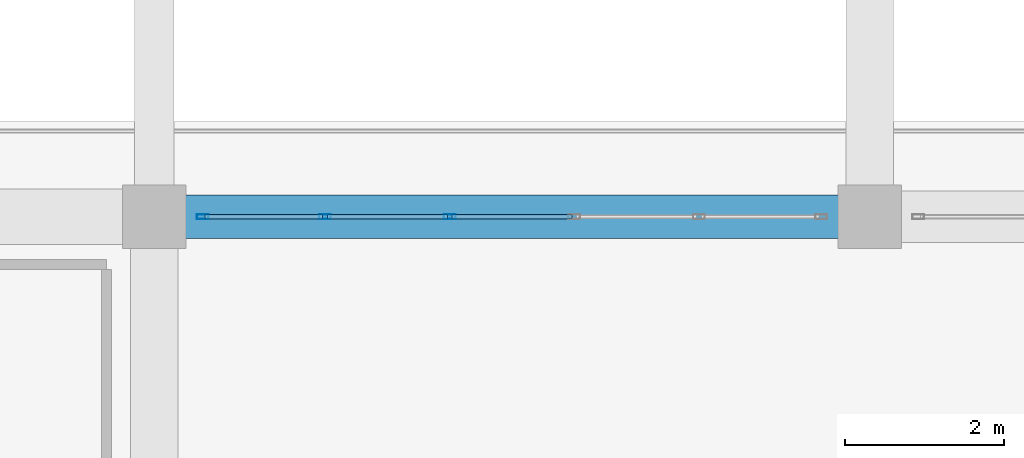
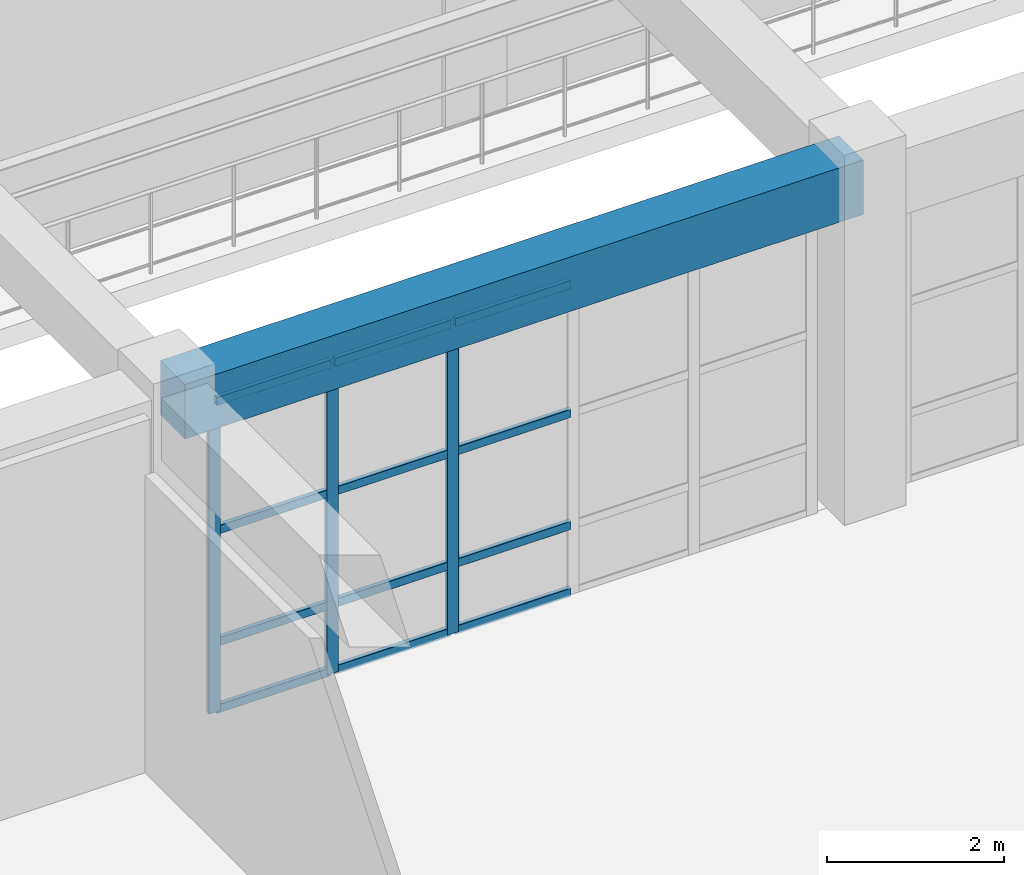
# One storey, part 60 of 128: 15 members, 1 beam, 1 element without a shape of its own.
"""IFC4 building model written with IfcOpenShell, lengths in metres."""

from ifc_helpers import new_model, si_unit, direction, frame, origin, origin_2d, place, context, subcontext, project, spatial, rectangle, hollow_rectangle, extrude, material, material_profile, profile_set, type_object, element, aggregate, save


model = new_model("IFC4")

# Units and contexts
model_context = context("Model", 3, precision=1e-05, world=origin(), true_north=direction((0.0, 1.0)))
body_context = subcontext(model_context, "Body", "Model", "MODEL_VIEW")
ifc_project = project(units=[si_unit("LENGTHUNIT", "METRE"), si_unit("AREAUNIT", "SQUARE_METRE"), si_unit("VOLUMEUNIT", "CUBIC_METRE"), si_unit("PLANEANGLEUNIT", "RADIAN"), si_unit("MASSUNIT", "GRAM", prefix="KILO")], contexts=[model_context])

# Site, building, storey
site_placement = place(None, origin())
site = spatial("IfcSite", under=ifc_project, at=site_placement, CompositionType="ELEMENT")
building_placement = place(site_placement, origin())
building = spatial("IfcBuilding", under=site, at=building_placement, Name="Miravela Opera House", CompositionType="ELEMENT")
storey_placement = place(building_placement, origin())
storey = spatial("IfcBuildingStorey", under=building, at=storey_placement, Name="L00", CompositionType="ELEMENT", Elevation=0.0)

# Curtain wall, members
ifc_material_1 = material(Name="Anodised architectural bronze aluminium 6063-T6", Category="aluminium")
curtain_wall_type = type_object("IfcCurtainWallType", Name="ARC-CW-04", PredefinedType="NOTDEFINED", material=ifc_material_1)
curtain_wall_placement = place(storey_placement, origin())
curtain_wall = element("IfcCurtainWall", 1, at=curtain_wall_placement, inside=storey, type_object=curtain_wall_type, Name="Courtyard Arcade Curtain Wall CW-L00-071", PredefinedType="NOTDEFINED")
ifc_material_profile_1 = material_profile(ifc_material_1, hollow_rectangle(XDim=0.06005859375, YDim=0.14990234375, WallThickness=0.00390625, InnerFilletRadius=0.001953125, OuterFilletRadius=0.00390625, at=origin_2d()), Name="CWM-60X150")
ifc_profile_set_1 = profile_set([ifc_material_profile_1])
member_type_1 = type_object("IfcMemberType", Name="ARC-CWM-150", PredefinedType="MULLION", material=ifc_profile_set_1)
member_1_placement = place(storey_placement, frame((27.610107421875, 103.0, 0.0), z_axis=(0.0, 0.0, 1.0), x_axis=(0.0, 1.0, 0.0)))
member_1 = element("IfcMember", 2, at=member_1_placement, type_object=member_type_1, Name="CW-04 mullion 1", PredefinedType="MULLION", context=body_context, shape_type="SweptSolid", body=[
    extrude(hollow_rectangle(XDim=0.06005859375, YDim=0.14990234375, WallThickness=0.00390625, InnerFilletRadius=0.001953125, OuterFilletRadius=0.00390625, at=origin_2d()), origin(), (0.0, 0.0, 1.0), 4.300048828125),
])
member_2_placement = place(storey_placement, frame((29.14794921875, 103.0, 0.0), z_axis=(0.0, 0.0, 1.0), x_axis=(0.0, 1.0, 0.0)))
member_2 = element("IfcMember", 3, at=member_2_placement, type_object=member_type_1, Name="CW-04 mullion 2", PredefinedType="MULLION", context=body_context, shape_type="SweptSolid", body=[
    extrude(hollow_rectangle(XDim=0.06005859375, YDim=0.14990234375, WallThickness=0.00390625, InnerFilletRadius=0.001953125, OuterFilletRadius=0.00390625, at=origin_2d()), origin(), (0.0, 0.0, 1.0), 4.300048828125),
])
member_3_placement = place(storey_placement, frame((30.716064453125, 103.0, 0.0), z_axis=(0.0, 0.0, 1.0), x_axis=(0.0, 1.0, 0.0)))
member_3 = element("IfcMember", 4, at=member_3_placement, type_object=member_type_1, Name="CW-04 mullion 3", PredefinedType="MULLION", context=body_context, shape_type="SweptSolid", body=[
    extrude(hollow_rectangle(XDim=0.06005859375, YDim=0.14990234375, WallThickness=0.00390625, InnerFilletRadius=0.001953125, OuterFilletRadius=0.00390625, at=origin_2d()), origin(), (0.0, 0.0, 1.0), 4.300048828125),
])
ifc_material_profile_2 = material_profile(ifc_material_1, hollow_rectangle(XDim=0.06005859375, YDim=0.114990234375, WallThickness=0.00390625, InnerFilletRadius=0.001953125, OuterFilletRadius=0.00390625, at=origin_2d()), Name="CWT-60X115")
ifc_profile_set_2 = profile_set([ifc_material_profile_2])
member_type_2 = type_object("IfcMemberType", Name="ARC-CWT-115", PredefinedType="USERDEFINED", material=ifc_profile_set_2)
member_4_placement = place(storey_placement, frame((27.639892578125, 103.0, 0.030029296875), z_axis=(1.0, 0.0, 0.0), x_axis=(0.0, 1.0, 0.0)))
member_4 = element("IfcMember", 5, at=member_4_placement, type_object=member_type_2, Name="CW-04 transom 1.1", ObjectType="TRANSOM", PredefinedType="USERDEFINED", context=body_context, shape_type="SweptSolid", body=[
    extrude(hollow_rectangle(XDim=0.06005859375, YDim=0.114990234375, WallThickness=0.00390625, InnerFilletRadius=0.001953125, OuterFilletRadius=0.00390625, at=origin_2d()), origin(), (0.0, 0.0, 1.0), 1.47802734375),
])
member_5_placement = place(storey_placement, frame((27.639892578125, 103.0, 0.949951171875), z_axis=(1.0, 0.0, 0.0), x_axis=(0.0, 1.0, 0.0)))
member_5 = element("IfcMember", 6, at=member_5_placement, type_object=member_type_2, Name="CW-04 transom 1.2", ObjectType="TRANSOM", PredefinedType="USERDEFINED", context=body_context, shape_type="SweptSolid", body=[
    extrude(hollow_rectangle(XDim=0.06005859375, YDim=0.114990234375, WallThickness=0.00390625, InnerFilletRadius=0.001953125, OuterFilletRadius=0.00390625, at=origin_2d()), origin(), (0.0, 0.0, 1.0), 1.47802734375),
])
member_6_placement = place(storey_placement, frame((27.639892578125, 103.0, 2.493896484375), z_axis=(1.0, 0.0, 0.0), x_axis=(0.0, 1.0, 0.0)))
member_6 = element("IfcMember", 7, at=member_6_placement, type_object=member_type_2, Name="CW-04 transom 1.3", ObjectType="TRANSOM", PredefinedType="USERDEFINED", context=body_context, shape_type="SweptSolid", body=[
    extrude(hollow_rectangle(XDim=0.06005859375, YDim=0.114990234375, WallThickness=0.00390625, InnerFilletRadius=0.001953125, OuterFilletRadius=0.00390625, at=origin_2d()), origin(), (0.0, 0.0, 1.0), 1.47802734375),
])
member_7_placement = place(storey_placement, frame((27.639892578125, 103.0, 4.27001953125), z_axis=(1.0, 0.0, 0.0), x_axis=(0.0, 1.0, 0.0)))
member_7 = element("IfcMember", 8, at=member_7_placement, type_object=member_type_2, Name="CW-04 transom 1.4", ObjectType="TRANSOM", PredefinedType="USERDEFINED", context=body_context, shape_type="SweptSolid", body=[
    extrude(hollow_rectangle(XDim=0.06005859375, YDim=0.114990234375, WallThickness=0.00390625, InnerFilletRadius=0.001953125, OuterFilletRadius=0.00390625, at=origin_2d()), origin(), (0.0, 0.0, 1.0), 1.47802734375),
])
member_8_placement = place(storey_placement, frame((29.177978515625, 103.0, 0.030029296875), z_axis=(1.0, 0.0, 0.0), x_axis=(0.0, 1.0, 0.0)))
member_8 = element("IfcMember", 9, at=member_8_placement, type_object=member_type_2, Name="CW-04 transom 2.1", ObjectType="TRANSOM", PredefinedType="USERDEFINED", context=body_context, shape_type="SweptSolid", body=[
    extrude(hollow_rectangle(XDim=0.06005859375, YDim=0.114990234375, WallThickness=0.00390625, InnerFilletRadius=0.001953125, OuterFilletRadius=0.00390625, at=origin_2d()), origin(), (0.0, 0.0, 1.0), 1.508056640625),
])
member_9_placement = place(storey_placement, frame((29.177978515625, 103.0, 0.949951171875), z_axis=(1.0, 0.0, 0.0), x_axis=(0.0, 1.0, 0.0)))
member_9 = element("IfcMember", 10, at=member_9_placement, type_object=member_type_2, Name="CW-04 transom 2.2", ObjectType="TRANSOM", PredefinedType="USERDEFINED", context=body_context, shape_type="SweptSolid", body=[
    extrude(hollow_rectangle(XDim=0.06005859375, YDim=0.114990234375, WallThickness=0.00390625, InnerFilletRadius=0.001953125, OuterFilletRadius=0.00390625, at=origin_2d()), origin(), (0.0, 0.0, 1.0), 1.508056640625),
])
member_10_placement = place(storey_placement, frame((29.177978515625, 103.0, 2.493896484375), z_axis=(1.0, 0.0, 0.0), x_axis=(0.0, 1.0, 0.0)))
member_10 = element("IfcMember", 11, at=member_10_placement, type_object=member_type_2, Name="CW-04 transom 2.3", ObjectType="TRANSOM", PredefinedType="USERDEFINED", context=body_context, shape_type="SweptSolid", body=[
    extrude(hollow_rectangle(XDim=0.06005859375, YDim=0.114990234375, WallThickness=0.00390625, InnerFilletRadius=0.001953125, OuterFilletRadius=0.00390625, at=origin_2d()), origin(), (0.0, 0.0, 1.0), 1.508056640625),
])
member_11_placement = place(storey_placement, frame((29.177978515625, 103.0, 4.27001953125), z_axis=(1.0, 0.0, 0.0), x_axis=(0.0, 1.0, 0.0)))
member_11 = element("IfcMember", 12, at=member_11_placement, type_object=member_type_2, Name="CW-04 transom 2.4", ObjectType="TRANSOM", PredefinedType="USERDEFINED", context=body_context, shape_type="SweptSolid", body=[
    extrude(hollow_rectangle(XDim=0.06005859375, YDim=0.114990234375, WallThickness=0.00390625, InnerFilletRadius=0.001953125, OuterFilletRadius=0.00390625, at=origin_2d()), origin(), (0.0, 0.0, 1.0), 1.508056640625),
])
member_12_placement = place(storey_placement, frame((30.74609375, 103.0, 0.030029296875), z_axis=(1.0, 0.0, 0.0), x_axis=(0.0, 1.0, 0.0)))
member_12 = element("IfcMember", 13, at=member_12_placement, type_object=member_type_2, Name="CW-04 transom 3.1", ObjectType="TRANSOM", PredefinedType="USERDEFINED", context=body_context, shape_type="SweptSolid", body=[
    extrude(hollow_rectangle(XDim=0.06005859375, YDim=0.114990234375, WallThickness=0.00390625, InnerFilletRadius=0.001953125, OuterFilletRadius=0.00390625, at=origin_2d()), origin(), (0.0, 0.0, 1.0), 1.5078125),
])
member_13_placement = place(storey_placement, frame((30.74609375, 103.0, 0.949951171875), z_axis=(1.0, 0.0, 0.0), x_axis=(0.0, 1.0, 0.0)))
member_13 = element("IfcMember", 14, at=member_13_placement, type_object=member_type_2, Name="CW-04 transom 3.2", ObjectType="TRANSOM", PredefinedType="USERDEFINED", context=body_context, shape_type="SweptSolid", body=[
    extrude(hollow_rectangle(XDim=0.06005859375, YDim=0.114990234375, WallThickness=0.00390625, InnerFilletRadius=0.001953125, OuterFilletRadius=0.00390625, at=origin_2d()), origin(), (0.0, 0.0, 1.0), 1.5078125),
])
member_14_placement = place(storey_placement, frame((30.74609375, 103.0, 2.493896484375), z_axis=(1.0, 0.0, 0.0), x_axis=(0.0, 1.0, 0.0)))
member_14 = element("IfcMember", 15, at=member_14_placement, type_object=member_type_2, Name="CW-04 transom 3.3", ObjectType="TRANSOM", PredefinedType="USERDEFINED", context=body_context, shape_type="SweptSolid", body=[
    extrude(hollow_rectangle(XDim=0.06005859375, YDim=0.114990234375, WallThickness=0.00390625, InnerFilletRadius=0.001953125, OuterFilletRadius=0.00390625, at=origin_2d()), origin(), (0.0, 0.0, 1.0), 1.5078125),
])
member_15_placement = place(storey_placement, frame((30.74609375, 103.0, 4.27001953125), z_axis=(1.0, 0.0, 0.0), x_axis=(0.0, 1.0, 0.0)))
member_15 = element("IfcMember", 16, at=member_15_placement, type_object=member_type_2, Name="CW-04 transom 3.4", ObjectType="TRANSOM", PredefinedType="USERDEFINED", context=body_context, shape_type="SweptSolid", body=[
    extrude(hollow_rectangle(XDim=0.06005859375, YDim=0.114990234375, WallThickness=0.00390625, InnerFilletRadius=0.001953125, OuterFilletRadius=0.00390625, at=origin_2d()), origin(), (0.0, 0.0, 1.0), 1.5078125),
])
aggregate(curtain_wall, [member_1, member_2, member_3, member_4, member_5, member_6, member_7, member_8, member_9, member_10, member_11, member_12, member_13, member_14, member_15])

# Beam
ifc_material_2 = material(Name="Concrete C35/45", Category="concrete")
ifc_material_profile_3 = material_profile(ifc_material_2, rectangle(XDim=0.550048828125, YDim=0.75, at=origin_2d()), Name="RC-BM-550X750")
ifc_profile_set_3 = profile_set([ifc_material_profile_3])
beam_type = type_object("IfcBeamType", Name="STR-BM-RC550X750", PredefinedType="BEAM", material=ifc_profile_set_3)
beam_placement = place(storey_placement, frame((27.080078125, 103.0, 4.47509765625), z_axis=(1.0, 0.0, 0.0), x_axis=(0.0, 1.0, 0.0)))
element("IfcBeam", 17, at=beam_placement, inside=storey, type_object=beam_type, Name="Floor Girder L00 4-5/L", PredefinedType="BEAM", context=body_context, shape_type="SweptSolid", body=[
    extrude(rectangle(XDim=0.550048828125, YDim=0.75, at=origin_2d()), origin(), (0.0, 0.0, 1.0), 8.83984375),
])

save(model, "model.ifc")
